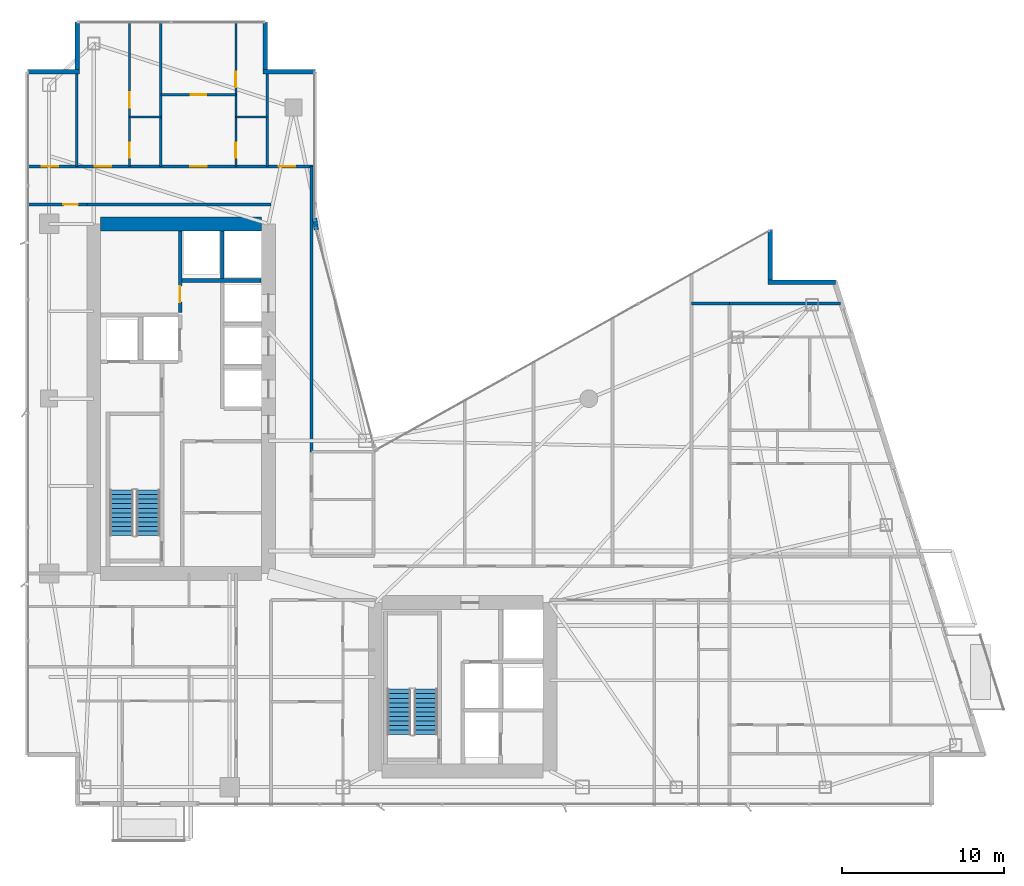
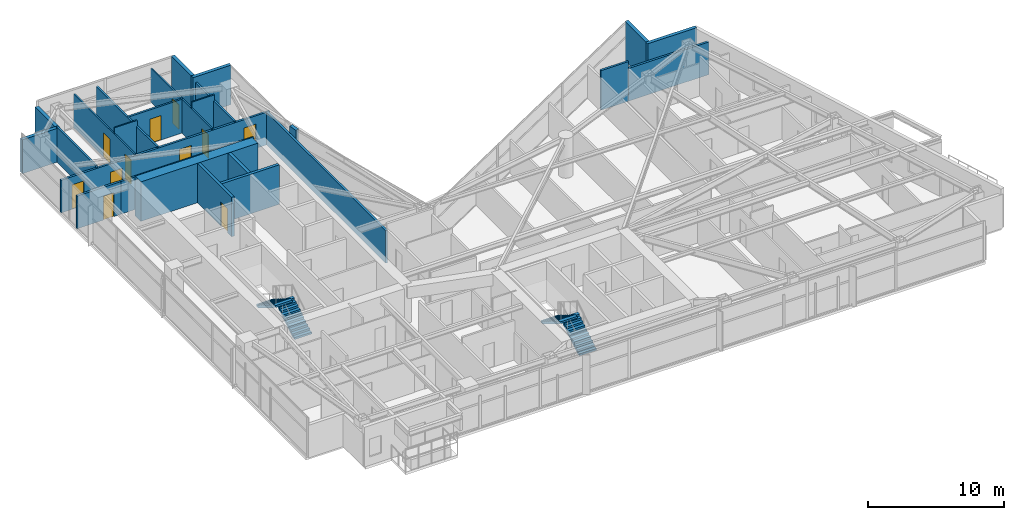
# One storey, part 25 of 29: 25 walls, 11 doors, 4 stair flights, 11 openings, 2 elements without a shape of their own.
"""IFC4 building model written with IfcOpenShell, lengths in metres."""

from ifc_helpers import new_model, si_unit, direction, frame, frame_2d, origin, place, context, subcontext, project, spatial, polyline, rectangle, outline, extrude, material, layer, layer_set, type_object, element, fill, aggregate, save


model = new_model("IFC4")

# Units and contexts
model_context = context("Model", 3, precision=1e-05, world=origin(), true_north=direction((0.0, 1.0)))
body_context = subcontext(model_context, "Body", "Model", "MODEL_VIEW")
ifc_project = project(units=[si_unit("LENGTHUNIT", "METRE"), si_unit("AREAUNIT", "SQUARE_METRE"), si_unit("VOLUMEUNIT", "CUBIC_METRE"), si_unit("PLANEANGLEUNIT", "RADIAN"), si_unit("MASSUNIT", "GRAM", prefix="KILO")], contexts=[model_context])

# Site, building, storey
site_placement = place(None, origin())
site = spatial("IfcSite", under=ifc_project, at=site_placement, CompositionType="ELEMENT")
building_placement = place(site_placement, origin())
building = spatial("IfcBuilding", under=site, at=building_placement, Name="Calvorn Quay Hotel", CompositionType="ELEMENT")
storey_placement = place(building_placement, frame((0.0, 0.0, 148.5)))
storey = spatial("IfcBuildingStorey", under=building, at=storey_placement, Name="L36", CompositionType="ELEMENT", Elevation=148.5)

# Wall
ifc_material_1 = material(Name="Concrete C50", Category="concrete")
ifc_layer_1 = layer(ifc_material_1, 0.85009765625)
ifc_layer_set_1 = layer_set([ifc_layer_1], Name="WL-CORE-850")
wall_type_1 = type_object("IfcWallType", Name="WL-CORE-850", PredefinedType="SHEAR", material=ifc_layer_set_1)
wall_1_placement = place(storey_placement, frame((4.625, 38.39990234375, 0.0), z_axis=(0.0, 0.0, 1.0), x_axis=(1.0, 0.0, 0.0)))
element("IfcWall", 1, at=wall_1_placement, inside=storey, type_object=wall_type_1, Name="West Core Shear Wall N (L36)", PredefinedType="SHEAR", context=body_context, shape_type="SweptSolid", body=[
    extrude(rectangle(XDim=9.949951171875, YDim=0.85009765625, at=frame_2d((4.97509765625, 0.0))), origin(), (0.0, 0.0, 1.0), 3.56005859375),
])

# Wall, opening, door
ifc_material_2 = material(Name="Acoustic Fireboard Steel-Stud Partition", Category="steel")
ifc_layer_2 = layer(ifc_material_2, 0.179931640625)
ifc_layer_set_2 = layer_set([ifc_layer_2], Name="WL-CORR-FIRE-180")
wall_type_2 = type_object("IfcWallType", Name="WL-CORR-FIRE-180", PredefinedType="PARTITIONING", material=ifc_layer_set_2)
wall_2_placement = place(storey_placement, frame((0.080078125, 39.60009765625, 0.0), z_axis=(0.0, 0.0, 1.0), x_axis=(1.0, 0.0, 0.0)))
wall_2 = element("IfcWall", 2, at=wall_2_placement, inside=storey, type_object=wall_type_2, Name="Partition Wall L36-WL-WBAY-N-DOOR", PredefinedType="PARTITIONING", context=body_context, shape_type="SweptSolid", body=[
    extrude(rectangle(XDim=3.724853515625, YDim=0.179931640625, at=frame_2d((1.8623046875, 0.0))), origin(), (0.0, 0.0, 1.0), 2.93994140625),
])
opening_1_placement = place(wall_2_placement, frame((2.25, 0.0, 0.0)))
opening_1 = element("IfcOpeningElement", 3, at=opening_1_placement, cuts=wall_2, Name="Opening D-L36-WBN", PredefinedType="OPENING", context=body_context, shape_type="SweptSolid", body=[
    extrude(rectangle(XDim=0.89990234375, YDim=2.14990234375, at=frame_2d((0.449951171875, 1.074951171875))), frame((0.0, 0.099853515625, 0.0), z_axis=(0.0, -1.0, 0.0), x_axis=(1.0, 0.0, 0.0)), (0.0, 0.0, 1.0), 0.199951171875),
])
ifc_material_3 = material(Name="Moisture-Sealed Timber En-Suite Door", Category="wood")
door_type_1 = type_object("IfcDoorType", Name="DR-ENSUITE-900", OperationType="NOTDEFINED", PredefinedType="DOOR", material=ifc_material_3)
door_1_placement = place(opening_1_placement, origin())
door_1 = element("IfcDoor", 4, at=door_1_placement, inside=storey, type_object=door_type_1, Name="West North Bay Door (L36)", OperationType="SINGLE_SWING_LEFT", OverallHeight=2.14990234375, OverallWidth=0.89990234375, PredefinedType="DOOR", context=body_context, shape_type="SweptSolid", body=[
    extrude(rectangle(XDim=0.89990234375, YDim=2.14990234375, at=frame_2d((0.449951171875, 1.074951171875))), frame((0.0, 0.02490234375, 0.0), z_axis=(0.0, -1.0, 0.0), x_axis=(1.0, 0.0, 0.0)), (0.0, 0.0, 1.0), 0.050048828125),
])
fill(opening_1, door_1)

# Wall, openings, doors
wall_3_placement = place(storey_placement, frame((0.080078125, 41.949951171875, 0.0), z_axis=(0.0, 0.0, 1.0), x_axis=(1.0, 0.0, 0.0)))
wall_3 = element("IfcWall", 5, at=wall_3_placement, inside=storey, type_object=wall_type_2, Name="Partition Wall L36-WL-CORR-NW-N", PredefinedType="PARTITIONING", context=body_context, shape_type="SweptSolid", body=[
    extrude(rectangle(XDim=17.77001953125, YDim=0.179931640625, at=frame_2d((8.885009765625, 0.0))), origin(), (0.0, 0.0, 1.0), 2.93994140625),
])
opening_2_placement = place(wall_3_placement, frame((0.89990234375, 0.0, 0.0)))
opening_2 = element("IfcOpeningElement", 6, at=opening_2_placement, cuts=wall_3, Name="Opening D-L36-NWW", PredefinedType="OPENING", context=body_context, shape_type="SweptSolid", body=[
    extrude(rectangle(XDim=1.02001953125, YDim=2.199951171875, at=frame_2d((0.510009765625, 1.10009765625))), frame((0.0, 0.099853515625, 0.0), z_axis=(0.0, -1.0, 0.0), x_axis=(1.0, 0.0, 0.0)), (0.0, 0.0, 1.0), 0.199951171875),
])
opening_3_placement = place(wall_3_placement, frame((4.199951171875, 0.0, 0.0)))
opening_3 = element("IfcOpeningElement", 7, at=opening_3_placement, cuts=wall_3, Name="Opening D-L36-U04", PredefinedType="OPENING", context=body_context, shape_type="SweptSolid", body=[
    extrude(rectangle(XDim=1.02001953125, YDim=2.199951171875, at=frame_2d((0.510009765625, 1.10009765625))), frame((0.0, 0.099853515625, 0.0), z_axis=(0.0, -1.0, 0.0), x_axis=(1.0, 0.0, 0.0)), (0.0, 0.0, 1.0), 0.199951171875),
])
opening_4_placement = place(wall_3_placement, frame((10.080078125, 0.0, 0.0)))
opening_4 = element("IfcOpeningElement", 8, at=opening_4_placement, cuts=wall_3, Name="Opening D-L36-U05", PredefinedType="OPENING", context=body_context, shape_type="SweptSolid", body=[
    extrude(rectangle(XDim=1.02001953125, YDim=2.199951171875, at=frame_2d((0.510009765625, 1.10009765625))), frame((0.0, 0.099853515625, 0.0), z_axis=(0.0, -1.0, 0.0), x_axis=(1.0, 0.0, 0.0)), (0.0, 0.0, 1.0), 0.199951171875),
])
opening_5_placement = place(wall_3_placement, frame((15.550048828125, 0.0, 0.0)))
opening_5 = element("IfcOpeningElement", 9, at=opening_5_placement, cuts=wall_3, Name="Opening D-L36-NWE", PredefinedType="OPENING", context=body_context, shape_type="SweptSolid", body=[
    extrude(rectangle(XDim=1.02001953125, YDim=2.199951171875, at=frame_2d((0.510009765625, 1.10009765625))), frame((0.0, 0.099853515625, 0.0), z_axis=(0.0, -1.0, 0.0), x_axis=(1.0, 0.0, 0.0)), (0.0, 0.0, 1.0), 0.199951171875),
])
ifc_material_4 = material(Name="Solid-Core Walnut Veneer Hotel Fire Door")
door_type_2 = type_object("IfcDoorType", Name="DR-GUEST-ENTRY-1020", OperationType="NOTDEFINED", PredefinedType="DOOR", material=ifc_material_4)
door_2_placement = place(opening_2_placement, origin())
door_2 = element("IfcDoor", 10, at=door_2_placement, inside=storey, type_object=door_type_2, Name="West Corner Study Door (L36)", OperationType="SINGLE_SWING_LEFT", OverallHeight=2.199951171875, OverallWidth=1.02001953125, PredefinedType="DOOR", context=body_context, shape_type="SweptSolid", body=[
    extrude(rectangle(XDim=1.02001953125, YDim=2.199951171875, at=frame_2d((0.510009765625, 1.10009765625))), frame((0.0, 0.02490234375, 0.0), z_axis=(0.0, -1.0, 0.0), x_axis=(1.0, 0.0, 0.0)), (0.0, 0.0, 1.0), 0.050048828125),
])
fill(opening_2, door_2)
door_3_placement = place(opening_3_placement, origin())
door_3 = element("IfcDoor", 11, at=door_3_placement, inside=storey, type_object=door_type_2, Name="North-West Unit Door U04 (L36)", OperationType="SINGLE_SWING_RIGHT", OverallHeight=2.199951171875, OverallWidth=1.02001953125, PredefinedType="DOOR", context=body_context, shape_type="SweptSolid", body=[
    extrude(rectangle(XDim=1.02001953125, YDim=2.199951171875, at=frame_2d((0.510009765625, 1.10009765625))), frame((0.0, 0.02490234375, 0.0), z_axis=(0.0, -1.0, 0.0), x_axis=(1.0, 0.0, 0.0)), (0.0, 0.0, 1.0), 0.050048828125),
])
fill(opening_3, door_3)
door_4_placement = place(opening_4_placement, origin())
door_4 = element("IfcDoor", 12, at=door_4_placement, inside=storey, type_object=door_type_2, Name="North-West Unit Door U05 (L36)", OperationType="SINGLE_SWING_LEFT", OverallHeight=2.199951171875, OverallWidth=1.02001953125, PredefinedType="DOOR", context=body_context, shape_type="SweptSolid", body=[
    extrude(rectangle(XDim=1.02001953125, YDim=2.199951171875, at=frame_2d((0.510009765625, 1.10009765625))), frame((0.0, 0.02490234375, 0.0), z_axis=(0.0, -1.0, 0.0), x_axis=(1.0, 0.0, 0.0)), (0.0, 0.0, 1.0), 0.050048828125),
])
fill(opening_4, door_4)
door_5_placement = place(opening_5_placement, origin())
door_5 = element("IfcDoor", 13, at=door_5_placement, inside=storey, type_object=door_type_2, Name="Inner Court Study Door (L36)", OperationType="SINGLE_SWING_RIGHT", OverallHeight=2.199951171875, OverallWidth=1.02001953125, PredefinedType="DOOR", context=body_context, shape_type="SweptSolid", body=[
    extrude(rectangle(XDim=1.02001953125, YDim=2.199951171875, at=frame_2d((0.510009765625, 1.10009765625))), frame((0.0, 0.02490234375, 0.0), z_axis=(0.0, -1.0, 0.0), x_axis=(1.0, 0.0, 0.0)), (0.0, 0.0, 1.0), 0.050048828125),
])
fill(opening_5, door_5)

# Walls
wall_4_placement = place(storey_placement, frame((17.64990234375, 24.300048828125, 0.0), z_axis=(0.0, 0.0, 1.0), x_axis=(0.0, 1.0, 0.0)))
element("IfcWall", 14, at=wall_4_placement, inside=storey, type_object=wall_type_2, Name="Partition Wall L36-WL-NW-CLOSURE-E", PredefinedType="PARTITIONING", context=body_context, shape_type="SweptSolid", body=[
    extrude(rectangle(XDim=17.64990234375, YDim=0.179931640625, at=frame_2d((8.824951171875, 0.0))), origin(), (0.0, 0.0, 1.0), 2.93994140625),
])
wall_5_placement = place(storey_placement, frame((3.7548828125, 39.60009765625, 0.0), z_axis=(0.0, 0.0, 1.0), x_axis=(1.0, 0.0, 0.0)))
element("IfcWall", 15, at=wall_5_placement, inside=storey, type_object=wall_type_2, Name="Partition Wall L36-WL-W-SPUR-S", PredefinedType="PARTITIONING", context=body_context, shape_type="SweptSolid", body=[
    extrude(rectangle(XDim=11.39501953125, YDim=0.179931640625, at=frame_2d((5.697509765625, 0.0))), origin(), (0.0, 0.0, 1.0), 2.93994140625),
])
wall_6_placement = place(storey_placement, frame((43.5, 33.47998046875, 0.0), z_axis=(0.0, 0.0, 1.0), x_axis=(1.0, 0.0, 0.0)))
element("IfcWall", 16, at=wall_6_placement, inside=storey, type_object=wall_type_2, Name="Partition Wall L36-WL-TIP-N", PredefinedType="PARTITIONING", context=body_context, shape_type="SweptSolid", body=[
    extrude(rectangle(XDim=6.860107421875, YDim=0.179931640625, at=frame_2d((3.43017578125, 0.0))), origin(), (0.0, 0.0, 1.0), 2.93994140625),
])
wall_7_placement = place(storey_placement, frame((41.14990234375, 33.47998046875, 0.0), z_axis=(0.0, 0.0, 1.0), x_axis=(1.0, 0.0, 0.0)))
element("IfcWall", 17, at=wall_7_placement, inside=storey, type_object=wall_type_2, Name="Partition Wall L36-WL-CORR-TIP-NN", PredefinedType="PARTITIONING", context=body_context, shape_type="SweptSolid", body=[
    extrude(rectangle(XDim=2.35009765625, YDim=0.179931640625, at=frame_2d((1.175048828125, 0.0))), origin(), (0.0, 0.0, 1.0), 3.56005859375),
])
ifc_material_5 = material(Name="Moisture-Resistant Tile-Backed Partition")
ifc_layer_3 = layer(ifc_material_5, 0.125)
ifc_layer_set_3 = layer_set([ifc_layer_3], Name="WL-ENSUITE-125")
wall_type_3 = type_object("IfcWallType", Name="WL-ENSUITE-125", PredefinedType="PARTITIONING", material=ifc_layer_set_3)
wall_8_placement = place(storey_placement, frame((6.419921875, 45.02001953125, 0.0), z_axis=(0.0, 0.0, 1.0), x_axis=(1.0, 0.0, 0.0)))
element("IfcWall", 18, at=wall_8_placement, inside=storey, type_object=wall_type_3, Name="Partition Wall L36-WL-U04-BDV", PredefinedType="PARTITIONING", context=body_context, shape_type="SweptSolid", body=[
    extrude(rectangle(XDim=1.93017578125, YDim=0.125, at=frame_2d((0.965087890625, 0.0))), origin(), (0.0, 0.0, 1.0), 3.56005859375),
])

# Wall, openings, doors
wall_9_placement = place(storey_placement, frame((6.419921875, 41.949951171875, 0.0), z_axis=(0.0, 0.0, 1.0), x_axis=(0.0, 1.0, 0.0)))
wall_9 = element("IfcWall", 19, at=wall_9_placement, inside=storey, type_object=wall_type_3, Name="Partition Wall L36-WL-U04-BV", PredefinedType="PARTITIONING", context=body_context, shape_type="SweptSolid", body=[
    extrude(rectangle(XDim=8.989990234375, YDim=0.125, at=frame_2d((4.4951171875, 0.0))), origin(), (0.0, 0.0, 1.0), 3.0400390625),
])
opening_6_placement = place(wall_9_placement, frame((0.550048828125, 0.0, 0.0)))
opening_6 = element("IfcOpeningElement", 20, at=opening_6_placement, cuts=wall_9, Name="Opening D-L36-E04", PredefinedType="OPENING", context=body_context, shape_type="SweptSolid", body=[
    extrude(rectangle(XDim=0.89990234375, YDim=2.14990234375, at=frame_2d((0.449951171875, 1.074951171875))), frame((0.0, 0.072509765625, 0.0), z_axis=(0.0, -1.0, 0.0), x_axis=(1.0, 0.0, 0.0)), (0.0, 0.0, 1.0), 0.14501953125),
])
opening_7_placement = place(wall_9_placement, frame((3.6201171875, 0.0, 0.0)))
opening_7 = element("IfcOpeningElement", 21, at=opening_7_placement, cuts=wall_9, Name="Opening D-L36-S04", PredefinedType="OPENING", context=body_context, shape_type="SweptSolid", body=[
    extrude(rectangle(XDim=0.9599609375, YDim=2.199951171875, at=frame_2d((0.47998046875, 1.10009765625))), frame((0.0, 0.072509765625, 0.0), z_axis=(0.0, -1.0, 0.0), x_axis=(1.0, 0.0, 0.0)), (0.0, 0.0, 1.0), 0.14501953125),
])
door_6_placement = place(opening_6_placement, origin())
door_6 = element("IfcDoor", 22, at=door_6_placement, inside=storey, type_object=door_type_1, Name="En-Suite Door 04", OperationType="SINGLE_SWING_LEFT", OverallHeight=2.14990234375, OverallWidth=0.89990234375, PredefinedType="DOOR", context=body_context, shape_type="SweptSolid", body=[
    extrude(rectangle(XDim=0.89990234375, YDim=2.14990234375, at=frame_2d((0.449951171875, 1.074951171875))), frame((0.0, 0.02490234375, 0.0), z_axis=(0.0, -1.0, 0.0), x_axis=(1.0, 0.0, 0.0)), (0.0, 0.0, 1.0), 0.050048828125),
])
fill(opening_6, door_6)
ifc_material_6 = material(Name="Solid Timber Internal Suite Door", Category="wood")
door_type_3 = type_object("IfcDoorType", Name="DR-SUITE-INT-960", OperationType="NOTDEFINED", PredefinedType="DOOR", material=ifc_material_6)
door_7_placement = place(opening_7_placement, origin())
door_7 = element("IfcDoor", 23, at=door_7_placement, inside=storey, type_object=door_type_3, Name="Private Executive Study Door 04", OperationType="SINGLE_SWING_RIGHT", OverallHeight=2.199951171875, OverallWidth=0.9599609375, PredefinedType="DOOR", context=body_context, shape_type="SweptSolid", body=[
    extrude(rectangle(XDim=0.9599609375, YDim=2.199951171875, at=frame_2d((0.47998046875, 1.10009765625))), frame((0.0, 0.02490234375, 0.0), z_axis=(0.0, -1.0, 0.0), x_axis=(1.0, 0.0, 0.0)), (0.0, 0.0, 1.0), 0.050048828125),
])
fill(opening_7, door_7)

# Wall
wall_10_placement = place(storey_placement, frame((12.989990234375, 45.02001953125, 0.0), z_axis=(0.0, 0.0, 1.0), x_axis=(1.0, 0.0, 0.0)))
element("IfcWall", 24, at=wall_10_placement, inside=storey, type_object=wall_type_3, Name="Partition Wall L36-WL-U05-BDV", PredefinedType="PARTITIONING", context=body_context, shape_type="SweptSolid", body=[
    extrude(rectangle(XDim=1.929931640625, YDim=0.125, at=frame_2d((0.96484375, 0.0))), origin(), (0.0, 0.0, 1.0), 3.56005859375),
])

# Wall, openings, doors
wall_11_placement = place(storey_placement, frame((12.989990234375, 41.949951171875, 0.0), z_axis=(0.0, 0.0, 1.0), x_axis=(0.0, 1.0, 0.0)))
wall_11 = element("IfcWall", 25, at=wall_11_placement, inside=storey, type_object=wall_type_3, Name="Partition Wall L36-WL-U05-BV", PredefinedType="PARTITIONING", context=body_context, shape_type="SweptSolid", body=[
    extrude(rectangle(XDim=8.989990234375, YDim=0.125, at=frame_2d((4.4951171875, 0.0))), origin(), (0.0, 0.0, 1.0), 3.0400390625),
])
opening_8_placement = place(wall_11_placement, frame((0.550048828125, 0.0, 0.0)))
opening_8 = element("IfcOpeningElement", 26, at=opening_8_placement, cuts=wall_11, Name="Opening D-L36-E05", PredefinedType="OPENING", context=body_context, shape_type="SweptSolid", body=[
    extrude(rectangle(XDim=0.89990234375, YDim=2.14990234375, at=frame_2d((0.449951171875, 1.074951171875))), frame((0.0, 0.072509765625, 0.0), z_axis=(0.0, -1.0, 0.0), x_axis=(1.0, 0.0, 0.0)), (0.0, 0.0, 1.0), 0.14501953125),
])
opening_9_placement = place(wall_11_placement, frame((4.8798828125, 0.0, 0.0)))
opening_9 = element("IfcOpeningElement", 27, at=opening_9_placement, cuts=wall_11, Name="Opening D-L36-S05", PredefinedType="OPENING", context=body_context, shape_type="SweptSolid", body=[
    extrude(rectangle(XDim=0.9599609375, YDim=2.199951171875, at=frame_2d((0.47998046875, 1.10009765625))), frame((0.0, 0.072509765625, 0.0), z_axis=(0.0, -1.0, 0.0), x_axis=(1.0, 0.0, 0.0)), (0.0, 0.0, 1.0), 0.14501953125),
])
door_8_placement = place(opening_8_placement, origin())
door_8 = element("IfcDoor", 28, at=door_8_placement, inside=storey, type_object=door_type_1, Name="En-Suite Door 05", OperationType="SINGLE_SWING_LEFT", OverallHeight=2.14990234375, OverallWidth=0.89990234375, PredefinedType="DOOR", context=body_context, shape_type="SweptSolid", body=[
    extrude(rectangle(XDim=0.89990234375, YDim=2.14990234375, at=frame_2d((0.449951171875, 1.074951171875))), frame((0.0, 0.02490234375, 0.0), z_axis=(0.0, -1.0, 0.0), x_axis=(1.0, 0.0, 0.0)), (0.0, 0.0, 1.0), 0.050048828125),
])
fill(opening_8, door_8)
door_9_placement = place(opening_9_placement, origin())
door_9 = element("IfcDoor", 29, at=door_9_placement, inside=storey, type_object=door_type_3, Name="Private Executive Study Door 05", OperationType="SINGLE_SWING_RIGHT", OverallHeight=2.199951171875, OverallWidth=0.9599609375, PredefinedType="DOOR", context=body_context, shape_type="SweptSolid", body=[
    extrude(rectangle(XDim=0.9599609375, YDim=2.199951171875, at=frame_2d((0.47998046875, 1.10009765625))), frame((0.0, 0.02490234375, 0.0), z_axis=(0.0, -1.0, 0.0), x_axis=(1.0, 0.0, 0.0)), (0.0, 0.0, 1.0), 0.050048828125),
])
fill(opening_9, door_9)

# Walls
ifc_material_7 = material(Name="Concrete C40", Category="concrete")
ifc_layer_4 = layer(ifc_material_7, 0.320068359375)
ifc_layer_set_4 = layer_set([ifc_layer_4], Name="WL-EXT-SPANDREL-320")
wall_type_4 = type_object("IfcWallType", Name="WL-EXT-SPANDREL-320", PredefinedType="SOLIDWALL", material=ifc_layer_set_4)
wall_12_placement = place(storey_placement, frame((17.9619140625, 38.030029296875, 0.0), z_axis=(0.0, 0.0, 1.0), x_axis=(-0.15141125477, 0.988470855377, 0.0)))
element("IfcWall", 30, at=wall_12_placement, inside=storey, type_object=wall_type_4, Name="Inner Court Corner Pier L36-ICJ2", PredefinedType="SOLIDWALL", context=body_context, shape_type="SweptSolid", body=[
    extrude(rectangle(XDim=0.738525390625, YDim=0.280029296875, at=frame_2d((0.369140625, 0.0))), origin(), (0.0, 0.0, 1.0), 3.56005859375),
])
wall_13_placement = place(storey_placement, frame((50.0400390625, 34.800048828125, 0.0), z_axis=(0.0, 0.0, 1.0), x_axis=(-1.0, 0.0, 0.0)))
element("IfcWall", 31, at=wall_13_placement, inside=storey, type_object=wall_type_4, Name="Notched Corner Spandrel L36-NE1", PredefinedType="SOLIDWALL", context=body_context, shape_type="SweptSolid", body=[
    extrude(rectangle(XDim=4.179931640625, YDim=0.280029296875, at=frame_2d((2.08984375, 0.0))), origin(), (0.0, 0.0, 1.0), 3.56005859375),
])
wall_14_placement = place(storey_placement, frame((46.0, 34.93994140625, 0.0), z_axis=(0.0, 0.0, 1.0), x_axis=(0.0, 1.0, 0.0)))
element("IfcWall", 32, at=wall_14_placement, inside=storey, type_object=wall_type_4, Name="Notched Corner Spandrel L36-NE2", PredefinedType="SOLIDWALL", context=body_context, shape_type="SweptSolid", body=[
    extrude(rectangle(XDim=3.10009765625, YDim=0.280029296875, at=frame_2d((1.550048828125, 0.0))), origin(), (0.0, 0.0, 1.0), 3.56005859375),
])
wall_15_placement = place(storey_placement, frame((17.89990234375, 47.800048828125, 0.0), z_axis=(0.0, 0.0, 1.0), x_axis=(-1.0, 0.0, 0.0)))
element("IfcWall", 33, at=wall_15_placement, inside=storey, type_object=wall_type_4, Name="Notched Corner Spandrel L36-NWE1", PredefinedType="SOLIDWALL", context=body_context, shape_type="SweptSolid", body=[
    extrude(rectangle(XDim=3.239990234375, YDim=0.280029296875, at=frame_2d((1.6201171875, 0.0))), origin(), (0.0, 0.0, 1.0), 3.56005859375),
])
wall_16_placement = place(storey_placement, frame((14.800048828125, 47.93994140625, 0.0), z_axis=(0.0, 0.0, 1.0), x_axis=(0.0, 1.0, 0.0)))
element("IfcWall", 34, at=wall_16_placement, inside=storey, type_object=wall_type_4, Name="Notched Corner Spandrel L36-NWE2", PredefinedType="SOLIDWALL", context=body_context, shape_type="SweptSolid", body=[
    extrude(rectangle(XDim=2.93994140625, YDim=0.280029296875, at=frame_2d((1.469970703125, 0.0))), origin(), (0.0, 0.0, 1.0), 3.56005859375),
])
wall_17_placement = place(storey_placement, frame((3.199951171875, 50.8798828125, 0.0), z_axis=(0.0, 0.0, 1.0), x_axis=(0.0, -1.0, 0.0)))
element("IfcWall", 35, at=wall_17_placement, inside=storey, type_object=wall_type_4, Name="Notched Corner Spandrel L36-NW1", PredefinedType="SOLIDWALL", context=body_context, shape_type="SweptSolid", body=[
    extrude(rectangle(XDim=2.93994140625, YDim=0.280029296875, at=frame_2d((1.469970703125, 0.0))), origin(), (0.0, 0.0, 1.0), 3.0400390625),
])
wall_18_placement = place(storey_placement, frame((3.340087890625, 47.800048828125, 0.0), z_axis=(0.0, 0.0, 1.0), x_axis=(-1.0, 0.0, 0.0)))
element("IfcWall", 36, at=wall_18_placement, inside=storey, type_object=wall_type_4, Name="Notched Corner Spandrel L36-NW2", PredefinedType="SOLIDWALL", context=body_context, shape_type="SweptSolid", body=[
    extrude(rectangle(XDim=3.219970703125, YDim=0.280029296875, at=frame_2d((1.60986328125, 0.0))), origin(), (0.0, 0.0, 1.0), 3.0400390625),
])
ifc_material_8 = material(Name="Double-Stud Acoustic Gypsum Partition")
ifc_layer_5 = layer(ifc_material_8, 0.159912109375)
ifc_layer_set_5 = layer_set([ifc_layer_5], Name="WL-INTERSUITE-160")
wall_type_5 = type_object("IfcWallType", Name="WL-INTERSUITE-160", PredefinedType="PARTITIONING", material=ifc_layer_set_5)
wall_19_placement = place(storey_placement, frame((3.14990234375, 41.949951171875, 0.0), z_axis=(0.0, 0.0, 1.0), x_axis=(0.0, 1.0, 0.0)))
element("IfcWall", 37, at=wall_19_placement, inside=storey, type_object=wall_type_5, Name="Partition Wall L36-WL-NW-DIV-W0", PredefinedType="PARTITIONING", context=body_context, shape_type="SweptSolid", body=[
    extrude(rectangle(XDim=5.85009765625, YDim=0.159912109375, at=frame_2d((2.925048828125, 0.0))), origin(), (0.0, 0.0, 1.0), 3.139892578125),
])
wall_20_placement = place(storey_placement, frame((14.919921875, 41.949951171875, 0.0), z_axis=(0.0, 0.0, 1.0), x_axis=(0.0, 1.0, 0.0)))
element("IfcWall", 38, at=wall_20_placement, inside=storey, type_object=wall_type_5, Name="Partition Wall L36-WL-NW-DIV-E0", PredefinedType="PARTITIONING", context=body_context, shape_type="SweptSolid", body=[
    extrude(rectangle(XDim=5.85009765625, YDim=0.159912109375, at=frame_2d((2.925048828125, 0.0))), origin(), (0.0, 0.0, 1.0), 3.0400390625),
])

# Wall, opening, door
wall_21_placement = place(storey_placement, frame((8.35009765625, 46.3798828125, 0.0), z_axis=(0.0, 0.0, 1.0), x_axis=(1.0, 0.0, 0.0)))
wall_21 = element("IfcWall", 39, at=wall_21_placement, inside=storey, type_object=wall_type_5, Name="Partition Wall L36-WL-U05-MSP", PredefinedType="PARTITIONING", context=body_context, shape_type="SweptSolid", body=[
    extrude(rectangle(XDim=4.639892578125, YDim=0.159912109375, at=frame_2d((2.31982421875, 0.0))), origin(), (0.0, 0.0, 1.0), 3.0400390625),
])
opening_10_placement = place(wall_21_placement, frame((1.840087890625, 0.0, 0.0)))
opening_10 = element("IfcOpeningElement", 40, at=opening_10_placement, cuts=wall_21, Name="Opening D-L36-M05", PredefinedType="OPENING", context=body_context, shape_type="SweptSolid", body=[
    extrude(rectangle(XDim=0.9599609375, YDim=2.199951171875, at=frame_2d((0.47998046875, 1.10009765625))), frame((0.0, 0.08984375, 0.0), z_axis=(0.0, -1.0, 0.0), x_axis=(1.0, 0.0, 0.0)), (0.0, 0.0, 1.0), 0.179931640625),
])
door_10_placement = place(opening_10_placement, origin())
door_10 = element("IfcDoor", 41, at=door_10_placement, inside=storey, type_object=door_type_3, Name="Suite Bedroom Door 05", OperationType="SINGLE_SWING_LEFT", OverallHeight=2.199951171875, OverallWidth=0.9599609375, PredefinedType="DOOR", context=body_context, shape_type="SweptSolid", body=[
    extrude(rectangle(XDim=0.9599609375, YDim=2.199951171875, at=frame_2d((0.47998046875, 1.10009765625))), frame((0.0, 0.02490234375, 0.0), z_axis=(0.0, -1.0, 0.0), x_axis=(1.0, 0.0, 0.0)), (0.0, 0.0, 1.0), 0.050048828125),
])
fill(opening_10, door_10)

# Wall
wall_22_placement = place(storey_placement, frame((8.35009765625, 41.949951171875, 0.0), z_axis=(0.0, 0.0, 1.0), x_axis=(0.0, 1.0, 0.0)))
element("IfcWall", 42, at=wall_22_placement, inside=storey, type_object=wall_type_5, Name="Partition Wall L36-WL-NW-DIV-1", PredefinedType="PARTITIONING", context=body_context, shape_type="SweptSolid", body=[
    extrude(rectangle(XDim=8.989990234375, YDim=0.159912109375, at=frame_2d((4.4951171875, 0.0))), origin(), (0.0, 0.0, 1.0), 3.0400390625),
])

# Wall, opening, door
ifc_material_9 = material(Name="Autoclaved Aerated Masonry Block", Category="masonry")
ifc_layer_6 = layer(ifc_material_9, 0.219970703125)
ifc_layer_set_6 = layer_set([ifc_layer_6], Name="WL-LOBBY-FIRE-220")
wall_type_6 = type_object("IfcWallType", Name="WL-LOBBY-FIRE-220", PredefinedType="SOLIDWALL", material=ifc_layer_set_6)
wall_23_placement = place(storey_placement, frame((9.5400390625, 32.919921875, 0.0), z_axis=(0.0, 0.0, 1.0), x_axis=(0.0, 1.0, 0.0)))
wall_23 = element("IfcWall", 43, at=wall_23_placement, inside=storey, type_object=wall_type_6, Name="Partition Wall L36-WL-CWW-K-E", PredefinedType="SOLIDWALL", context=body_context, shape_type="SweptSolid", body=[
    extrude(rectangle(XDim=5.03515625, YDim=0.219970703125, at=frame_2d((2.517578125, 0.0))), origin(), (0.0, 0.0, 1.0), 3.56005859375),
])
opening_11_placement = place(wall_23_placement, frame((0.64990234375, 0.0, 0.0)))
opening_11 = element("IfcOpeningElement", 44, at=opening_11_placement, cuts=wall_23, Name="Opening D-L36-CK1", PredefinedType="OPENING", context=body_context, shape_type="SweptSolid", body=[
    extrude(rectangle(XDim=0.97998046875, YDim=2.14990234375, at=frame_2d((0.489990234375, 1.074951171875))), frame((0.0, 0.119873046875, 0.0), z_axis=(0.0, -1.0, 0.0), x_axis=(1.0, 0.0, 0.0)), (0.0, 0.0, 1.0), 0.239990234375),
])
ifc_material_10 = material(Name="Painted Steel Housekeeping/Riser Fire Door", Category="steel")
door_type_4 = type_object("IfcDoorType", Name="DR-SERVICE-980", OperationType="NOTDEFINED", PredefinedType="DOOR", material=ifc_material_10)
door_11_placement = place(opening_11_placement, origin())
door_11 = element("IfcDoor", 45, at=door_11_placement, inside=storey, type_object=door_type_4, Name="Core Linen Room Door (L36)", OperationType="SINGLE_SWING_LEFT", OverallHeight=2.14990234375, OverallWidth=0.97998046875, PredefinedType="DOOR", context=body_context, shape_type="SweptSolid", body=[
    extrude(rectangle(XDim=0.97998046875, YDim=2.14990234375, at=frame_2d((0.489990234375, 1.074951171875))), frame((0.0, 0.02490234375, 0.0), z_axis=(0.0, -1.0, 0.0), x_axis=(1.0, 0.0, 0.0)), (0.0, 0.0, 1.0), 0.050048828125),
])
fill(opening_11, door_11)

# Walls
ifc_material_11 = material(Name="Concrete C40", Category="concrete")
ifc_layer_7 = layer(ifc_material_11, 0.239990234375)
ifc_layer_set_7 = layer_set([ifc_layer_7], Name="WL-SHAFT-240")
wall_type_7 = type_object("IfcWallType", Name="WL-SHAFT-240", PredefinedType="SOLIDWALL", material=ifc_layer_set_7)
wall_24_placement = place(storey_placement, frame((9.659912109375, 34.89990234375, 0.0), z_axis=(0.0, 0.0, 1.0), x_axis=(1.0, 0.0, 0.0)))
element("IfcWall", 46, at=wall_24_placement, inside=storey, type_object=wall_type_7, Name="Partition Wall L36-WL-CWW-PLH-S", PredefinedType="SOLIDWALL", context=body_context, shape_type="SweptSolid", body=[
    extrude(rectangle(XDim=4.89501953125, YDim=0.239990234375, at=frame_2d((2.447509765625, 0.0))), origin(), (0.0, 0.0, 1.0), 3.56005859375),
])
wall_25_placement = place(storey_placement, frame((12.14990234375, 35.02001953125, 0.0), z_axis=(0.0, 0.0, 1.0), x_axis=(0.0, 1.0, 0.0)))
element("IfcWall", 47, at=wall_25_placement, inside=storey, type_object=wall_type_7, Name="Partition Wall L36-WL-CWW-PLH-DIV", PredefinedType="SOLIDWALL", context=body_context, shape_type="SweptSolid", body=[
    extrude(rectangle(XDim=2.93505859375, YDim=0.239990234375, at=frame_2d((1.467529296875, 0.0))), origin(), (0.0, 0.0, 1.0), 3.56005859375),
])

# Stair, stair flights
ifc_material_12 = material(Name="Concrete C40", Category="concrete")
stair_type = type_object("IfcStairType", Name="STR-CORE-DOGLEG", PredefinedType="HALF_TURN_STAIR", material=ifc_material_12)
stair_1_placement = place(storey_placement, origin())
stair_1 = element("IfcStair", 48, at=stair_1_placement, inside=storey, type_object=stair_type, Name="L36 ST-W", PredefinedType="HALF_TURN_STAIR")
ifc_material_13 = material(Name="Concrete C40", Category="concrete")
stair_flight_type = type_object("IfcStairFlightType", Name="FLT-CORE-1550", PredefinedType="STRAIGHT", material=ifc_material_13)
stair_flight_1_placement = place(storey_placement, frame((7.574951171875, 19.14990234375, 0.0), z_axis=(0.0, 0.0, 1.0), x_axis=(0.0, 1.0, 0.0)))
stair_flight_1 = element("IfcStairFlight", 49, at=stair_flight_1_placement, type_object=stair_flight_type, Name="ST-W flight 1", NumberOfRisers=11, NumberOfTreads=10, PredefinedType="STRAIGHT", RiserHeight=0.172727273, TreadLength=0.28, context=body_context, shape_type="SweptSolid", body=[
    extrude(outline(polyline([(0.0, 0.0), (0.0, 0.172607421875), (0.280029296875, 0.172607421875), (0.280029296875, 0.345458984375), (0.56005859375, 0.345458984375), (0.56005859375, 0.51806640625), (0.840087890625, 0.51806640625), (0.840087890625, 0.69091796875), (1.1201171875, 0.69091796875), (1.1201171875, 0.863525390625), (1.39990234375, 0.863525390625), (1.39990234375, 1.036376953125), (1.679931640625, 1.036376953125), (1.679931640625, 1.208984375), (1.9599609375, 1.208984375), (1.9599609375, 1.3818359375), (2.239990234375, 1.3818359375), (2.239990234375, 1.554443359375), (2.52001953125, 1.554443359375), (2.52001953125, 1.727294921875), (2.800048828125, 1.727294921875), (2.800048828125, 1.89990234375), (2.800048828125, 1.551025390625), (0.285400390625, 0.0), (0.0, 0.0)])), frame((0.0, 0.72509765625, 0.0), z_axis=(0.0, -1.0, 0.0), x_axis=(1.0, 0.0, 0.0)), (0.0, 0.0, 1.0), 1.449951171875),
])
stair_flight_2_placement = place(storey_placement, frame((5.925048828125, 21.949951171875, 1.89990234375), z_axis=(0.0, 0.0, 1.0), x_axis=(0.0, -1.0, 0.0)))
stair_flight_2 = element("IfcStairFlight", 50, at=stair_flight_2_placement, type_object=stair_flight_type, Name="ST-W flight 2", NumberOfRisers=11, NumberOfTreads=10, PredefinedType="STRAIGHT", RiserHeight=0.172727273, TreadLength=0.28, context=body_context, shape_type="SweptSolid", body=[
    extrude(outline(polyline([(0.0, 0.0), (0.0, 0.172607421875), (0.280029296875, 0.172607421875), (0.280029296875, 0.345458984375), (0.56005859375, 0.345458984375), (0.56005859375, 0.51806640625), (0.840087890625, 0.51806640625), (0.840087890625, 0.69091796875), (1.1201171875, 0.69091796875), (1.1201171875, 0.863525390625), (1.39990234375, 0.863525390625), (1.39990234375, 1.036376953125), (1.679931640625, 1.036376953125), (1.679931640625, 1.208984375), (1.9599609375, 1.208984375), (1.9599609375, 1.3818359375), (2.239990234375, 1.3818359375), (2.239990234375, 1.554443359375), (2.52001953125, 1.554443359375), (2.52001953125, 1.727294921875), (2.800048828125, 1.727294921875), (2.800048828125, 1.89990234375), (2.800048828125, 1.551025390625), (0.285400390625, 0.0), (0.0, 0.0)])), frame((0.0, 0.72509765625, 0.0), z_axis=(0.0, -1.0, 0.0), x_axis=(1.0, 0.0, 0.0)), (0.0, 0.0, 1.0), 1.449951171875),
])
aggregate(stair_1, [stair_flight_1, stair_flight_2])

stair_2_placement = place(storey_placement, origin())
stair_2 = element("IfcStair", 51, at=stair_2_placement, inside=storey, type_object=stair_type, Name="L36 ST-E", PredefinedType="HALF_TURN_STAIR")
stair_flight_3_placement = place(storey_placement, frame((24.72509765625, 6.85009765625, 0.0), z_axis=(0.0, 0.0, 1.0), x_axis=(0.0, 1.0, 0.0)))
stair_flight_3 = element("IfcStairFlight", 52, at=stair_flight_3_placement, type_object=stair_flight_type, Name="ST-E flight 1", NumberOfRisers=11, NumberOfTreads=10, PredefinedType="STRAIGHT", RiserHeight=0.172727273, TreadLength=0.28, context=body_context, shape_type="SweptSolid", body=[
    extrude(outline(polyline([(0.0, 0.0), (0.0, 0.172607421875), (0.280029296875, 0.172607421875), (0.280029296875, 0.345458984375), (0.56005859375, 0.345458984375), (0.56005859375, 0.51806640625), (0.840087890625, 0.51806640625), (0.840087890625, 0.69091796875), (1.1201171875, 0.69091796875), (1.1201171875, 0.863525390625), (1.39990234375, 0.863525390625), (1.39990234375, 1.036376953125), (1.679931640625, 1.036376953125), (1.679931640625, 1.208984375), (1.9599609375, 1.208984375), (1.9599609375, 1.3818359375), (2.239990234375, 1.3818359375), (2.239990234375, 1.554443359375), (2.52001953125, 1.554443359375), (2.52001953125, 1.727294921875), (2.800048828125, 1.727294921875), (2.800048828125, 1.89990234375), (2.800048828125, 1.551025390625), (0.285400390625, 0.0), (0.0, 0.0)])), frame((0.0, 0.72509765625, 0.0), z_axis=(0.0, -1.0, 0.0), x_axis=(1.0, 0.0, 0.0)), (0.0, 0.0, 1.0), 1.449951171875),
])
stair_flight_4_placement = place(storey_placement, frame((23.074951171875, 9.64990234375, 1.89990234375), z_axis=(0.0, 0.0, 1.0), x_axis=(0.0, -1.0, 0.0)))
stair_flight_4 = element("IfcStairFlight", 53, at=stair_flight_4_placement, type_object=stair_flight_type, Name="ST-E flight 2", NumberOfRisers=11, NumberOfTreads=10, PredefinedType="STRAIGHT", RiserHeight=0.172727273, TreadLength=0.28, context=body_context, shape_type="SweptSolid", body=[
    extrude(outline(polyline([(0.0, 0.0), (0.0, 0.172607421875), (0.280029296875, 0.172607421875), (0.280029296875, 0.345458984375), (0.56005859375, 0.345458984375), (0.56005859375, 0.51806640625), (0.840087890625, 0.51806640625), (0.840087890625, 0.69091796875), (1.1201171875, 0.69091796875), (1.1201171875, 0.863525390625), (1.39990234375, 0.863525390625), (1.39990234375, 1.036376953125), (1.679931640625, 1.036376953125), (1.679931640625, 1.208984375), (1.9599609375, 1.208984375), (1.9599609375, 1.3818359375), (2.239990234375, 1.3818359375), (2.239990234375, 1.554443359375), (2.52001953125, 1.554443359375), (2.52001953125, 1.727294921875), (2.800048828125, 1.727294921875), (2.800048828125, 1.89990234375), (2.800048828125, 1.551025390625), (0.285400390625, 0.0), (0.0, 0.0)])), frame((0.0, 0.72509765625, 0.0), z_axis=(0.0, -1.0, 0.0), x_axis=(1.0, 0.0, 0.0)), (0.0, 0.0, 1.0), 1.449951171875),
])
aggregate(stair_2, [stair_flight_3, stair_flight_4])

save(model, "model.ifc")
